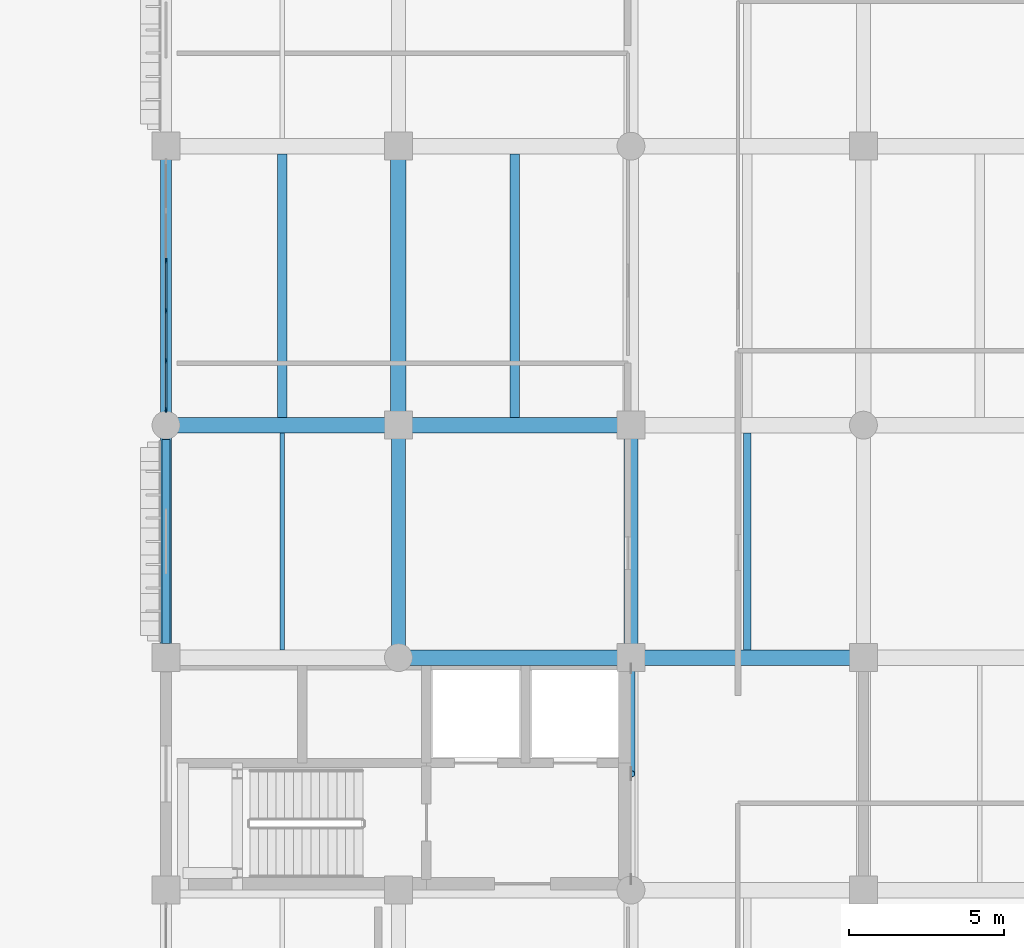
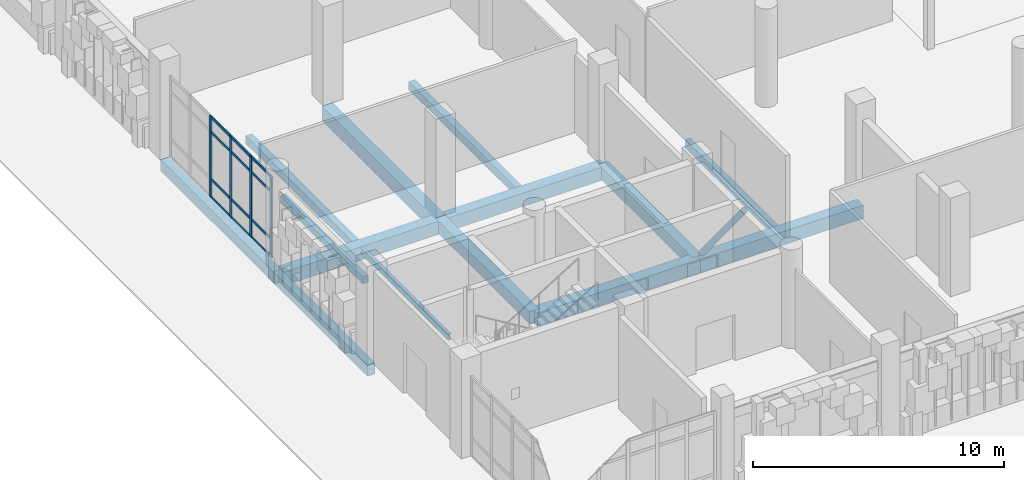
# One storey, part 16 of 125: 17 members, 14 beams, 1 element without a shape of its own.
"""IFC4 building model written with IfcOpenShell, lengths in metres."""

from ifc_helpers import new_model, si_unit, direction, frame, origin, origin_2d, place, context, subcontext, project, spatial, rectangle, hollow_circle, i_section, extrude, material, layer, layer_set, material_profile, profile_set, type_object, element, aggregate, save


model = new_model("IFC4")

# Units and contexts
model_context = context("Model", 3, precision=1e-05, world=origin(), true_north=direction((0.0, 1.0)))
body_context = subcontext(model_context, "Body", "Model", "MODEL_VIEW")
ifc_project = project(units=[si_unit("LENGTHUNIT", "METRE"), si_unit("AREAUNIT", "SQUARE_METRE"), si_unit("VOLUMEUNIT", "CUBIC_METRE"), si_unit("PLANEANGLEUNIT", "RADIAN"), si_unit("MASSUNIT", "GRAM", prefix="KILO")], contexts=[model_context])

# Site, building, storey
site_placement = place(None, origin())
site = spatial("IfcSite", under=ifc_project, at=site_placement, CompositionType="ELEMENT")
building_placement = place(site_placement, origin())
building = spatial("IfcBuilding", under=site, at=building_placement, Name="Dalvernix Boulevard General Hospital", CompositionType="ELEMENT")
storey_placement = place(building_placement, origin())
storey = spatial("IfcBuildingStorey", under=building, at=storey_placement, Name="L00", CompositionType="ELEMENT", Elevation=0.0)

# Beams
ifc_material_1 = material(Name="Concrete C35/45", Category="concrete")
ifc_material_profile_1 = material_profile(ifc_material_1, rectangle(XDim=0.5, YDim=0.699951171875, at=origin_2d()), Name="RCB 500x700")
ifc_profile_set_1 = profile_set([ifc_material_profile_1], Name="Concrete C35/45")
beam_type_1 = type_object("IfcBeamType", Name="BM-B-01-I", PredefinedType="BEAM", material=ifc_profile_set_1)
beam_1_placement = place(storey_placement, frame((7.5, 22.5, -0.7099609375), z_axis=(0.0, 1.0, 0.0), x_axis=(-1.0, 0.0, 0.0)))
element("IfcBeam", 1, at=beam_1_placement, inside=storey, type_object=beam_type_1, Name="L00 N-S girder 2:D-E", PredefinedType="BEAM", context=body_context, shape_type="SweptSolid", body=[
    extrude(rectangle(XDim=0.5, YDim=0.699951171875, at=origin_2d()), origin(), (0.0, 0.0, 1.0), 9.0),
])
ifc_material_profile_2 = material_profile(ifc_material_1, rectangle(XDim=0.5, YDim=0.64990234375, at=origin_2d()), Name="RCB 500x650")
ifc_profile_set_2 = profile_set([ifc_material_profile_2], Name="Concrete C35/45")
beam_type_2 = type_object("IfcBeamType", Name="BM-B-02-I", PredefinedType="BEAM", material=ifc_profile_set_2)
for number, where, z_axis, x_axis, name in (
    (2, (7.5, 15.0, -0.68505859375), (1.0, 0.0, 0.0), (0.0, 1.0, 0.0), "L00 E-W girder C:2-3"),
    (3, (15.0, 15.0, -0.68505859375), (1.0, 0.0, 0.0), (0.0, 1.0, 0.0), "L00 E-W girder C:3-4"),
    (4, (0.0, 22.5, -0.68505859375), (1.0, 0.0, 0.0), (0.0, 1.0, 0.0), "L00 E-W girder D:1-2"),
    (5, (7.5, 22.5, -0.68505859375), (1.0, 0.0, 0.0), (0.0, 1.0, 0.0), "L00 E-W girder D:2-3"),
):
    element("IfcBeam", number, at=place(storey_placement, frame(where, z_axis=z_axis, x_axis=x_axis)), inside=storey, type_object=beam_type_2, Name=name, PredefinedType="BEAM", context=body_context, shape_type="SweptSolid", body=[
        extrude(rectangle(XDim=0.5, YDim=0.64990234375, at=origin_2d()), origin(), (0.0, 0.0, 1.0), 7.5),
    ])
ifc_material_profile_3 = material_profile(ifc_material_1, rectangle(XDim=0.449951171875, YDim=0.60009765625, at=origin_2d()), Name="RCB 450x600")
ifc_profile_set_3 = profile_set([ifc_material_profile_3], Name="Concrete C35/45")
beam_type_3 = type_object("IfcBeamType", Name="BM-B-04-I", PredefinedType="BEAM", material=ifc_profile_set_3)
for number, where, z_axis, x_axis, name in (
    (6, (7.5, 15.0, -0.659912109375), (0.0, 1.0, 0.0), (-1.0, 0.0, 0.0), "L00 N-S girder 2:C-D"),
    (7, (15.0, 15.0, -0.659912109375), (0.0, 1.0, 0.0), (-1.0, 0.0, 0.0), "L00 N-S girder 3:C-D"),
):
    element("IfcBeam", number, at=place(storey_placement, frame(where, z_axis=z_axis, x_axis=x_axis)), inside=storey, type_object=beam_type_3, Name=name, PredefinedType="BEAM", context=body_context, shape_type="SweptSolid", body=[
        extrude(rectangle(XDim=0.449951171875, YDim=0.60009765625, at=origin_2d()), origin(), (0.0, 0.0, 1.0), 7.5),
    ])
ifc_material_profile_4 = material_profile(ifc_material_1, rectangle(XDim=0.300048828125, YDim=0.39990234375, at=origin_2d()), Name="RCB 300x400")
ifc_profile_set_4 = profile_set([ifc_material_profile_4], Name="Concrete C35/45")
beam_type_4 = type_object("IfcBeamType", Name="BM-JB-01", PredefinedType="JOIST", material=ifc_profile_set_4)
for number, where, z_axis, x_axis, name in (
    (8, (3.75, 22.75, -0.56005859375), (0.0, 1.0, 0.0), (-1.0, 0.0, 0.0), "L00 secondary floor beam 1-D"),
    (9, (11.25, 22.75, -0.56005859375), (0.0, 1.0, 0.0), (-1.0, 0.0, 0.0), "L00 secondary floor beam 2-D"),
):
    element("IfcBeam", number, at=place(storey_placement, frame(where, z_axis=z_axis, x_axis=x_axis)), inside=storey, type_object=beam_type_4, Name=name, PredefinedType="JOIST", context=body_context, shape_type="SweptSolid", body=[
        extrude(rectangle(XDim=0.300048828125, YDim=0.39990234375, at=origin_2d()), origin(), (0.0, 0.0, 1.0), 8.5),
    ])
ifc_material_profile_5 = material_profile(ifc_material_1, rectangle(XDim=0.25, YDim=0.39990234375, at=origin_2d()), Name="RCB 250x400")
ifc_profile_set_5 = profile_set([ifc_material_profile_5], Name="Concrete C35/45")
beam_type_5 = type_object("IfcBeamType", Name="BM-JB-02", PredefinedType="JOIST", material=ifc_profile_set_5)
beam_2_placement = place(storey_placement, frame((18.75, 15.25, -0.56005859375), z_axis=(0.0, 1.0, 0.0), x_axis=(-1.0, 0.0, 0.0)))
element("IfcBeam", 10, at=beam_2_placement, inside=storey, type_object=beam_type_5, Name="L00 secondary floor beam 3-C", PredefinedType="JOIST", context=body_context, shape_type="SweptSolid", body=[
    extrude(rectangle(XDim=0.25, YDim=0.39990234375, at=origin_2d()), origin(), (0.0, 0.0, 1.0), 7.0),
])
ifc_material_2 = material(Name="Steel S355", Category="steel")
ifc_material_profile_6 = material_profile(ifc_material_2, i_section(OverallWidth=0.14990234375, OverallDepth=0.300048828125, WebThickness=0.007080078125, FlangeThickness=0.0107421875, FilletRadius=0.014892578125, at=origin_2d()), Name="IPE 300")
ifc_profile_set_6 = profile_set([ifc_material_profile_6], Name="Steel S355")
beam_type_6 = type_object("IfcBeamType", Name="BM-JB-03", PredefinedType="JOIST", material=ifc_profile_set_6)
beam_3_placement = place(storey_placement, frame((3.75, 15.25, -0.510009765625), z_axis=(0.0, 1.0, 0.0), x_axis=(-1.0, 0.0, 0.0)))
element("IfcBeam", 11, at=beam_3_placement, inside=storey, type_object=beam_type_6, Name="L00 secondary floor beam 1-C", PredefinedType="JOIST", context=body_context, shape_type="SweptSolid", body=[
    extrude(i_section(OverallWidth=0.14990234375, OverallDepth=0.300048828125, WebThickness=0.007080078125, FlangeThickness=0.0107421875, FilletRadius=0.014892578125, at=origin_2d()), origin(), (0.0, 0.0, 1.0), 7.0),
])
ifc_material_3 = material(Name="Precast concrete C40/50", Category="concrete")
ifc_material_profile_7 = material_profile(ifc_material_3, rectangle(XDim=0.25, YDim=0.320068359375, at=origin_2d()), Name="RCL 250x320")
ifc_profile_set_7 = profile_set([ifc_material_profile_7], Name="Precast concrete C40/50")
beam_type_7 = type_object("IfcBeamType", Name="BM-LB-01", PredefinedType="LINTEL", material=ifc_profile_set_7)
beam_4_placement = place(storey_placement, frame((0.0, 15.4599609375, 3.4599609375), z_axis=(0.0, 1.0, 0.0), x_axis=(-1.0, 0.0, 0.0)))
element("IfcBeam", 12, at=beam_4_placement, inside=storey, type_object=beam_type_7, Name="L00 precast window lintel W 0-2", PredefinedType="LINTEL", context=body_context, shape_type="SweptSolid", body=[
    extrude(rectangle(XDim=0.25, YDim=0.320068359375, at=origin_2d()), origin(), (0.0, 0.0, 1.0), 6.580078125),
])
ifc_material_profile_8 = material_profile(ifc_material_1, rectangle(XDim=0.35009765625, YDim=0.550048828125, at=origin_2d()), Name="RCB 350x550")
ifc_profile_set_8 = profile_set([ifc_material_profile_8], Name="Concrete C35/45")
beam_type_8 = type_object("IfcBeamType", Name="BM-SB-01-E", PredefinedType="SPANDREL", material=ifc_profile_set_8)
beam_5_placement = place(storey_placement, frame((0.0, 15.0, -0.635009765625), z_axis=(0.0, 1.0, 0.0), x_axis=(-1.0, 0.0, 0.0)))
element("IfcBeam", 13, at=beam_5_placement, inside=storey, type_object=beam_type_8, Name="L00 N-S girder 1:C-D", PredefinedType="SPANDREL", context=body_context, shape_type="SweptSolid", body=[
    extrude(rectangle(XDim=0.35009765625, YDim=0.550048828125, at=origin_2d()), origin(), (0.0, 0.0, 1.0), 7.5),
])
beam_6_placement = place(storey_placement, frame((0.0, 22.5, -0.635009765625), z_axis=(0.0, 1.0, 0.0), x_axis=(-1.0, 0.0, 0.0)))
element("IfcBeam", 14, at=beam_6_placement, inside=storey, type_object=beam_type_8, Name="L00 N-S girder 1:D-E", PredefinedType="SPANDREL", context=body_context, shape_type="SweptSolid", body=[
    extrude(rectangle(XDim=0.35009765625, YDim=0.550048828125, at=origin_2d()), origin(), (0.0, 0.0, 1.0), 9.0),
])

# Member
ifc_material_profile_9 = material_profile(ifc_material_2, hollow_circle(Radius=0.136474609375, WallThickness=0.010009765625, at=origin_2d()), Name="CHS 273.0x10.0")
ifc_profile_set_9 = profile_set([ifc_material_profile_9], Name="Steel S355")
member_type_1 = type_object("IfcMemberType", Name="MEM-BR-01", PredefinedType="BRACE", material=ifc_profile_set_9)
member_1_placement = place(storey_placement, frame((15.0, 14.64990234375, 0.0), z_axis=(0.0, -0.63374319852, 0.773543507716), x_axis=(1.0, 0.0, 0.0)))
element("IfcMember", 15, at=member_1_placement, inside=storey, type_object=member_type_1, Name="L00 braced frame chevron 1B", PredefinedType="BRACE", context=body_context, shape_type="SweptSolid", body=[
    extrude(hollow_circle(Radius=0.136474609375, WallThickness=0.010009765625, at=origin_2d()), origin(), (0.0, 0.0, 1.0), 5.36474609375),
])

# Curtain wall, members
ifc_material_4 = material(Name="Thermally broken aluminium and solar-control glass curtain wall", Category="aluminium")
ifc_layer = layer(ifc_material_4, 0.159912109375)
ifc_layer_set = layer_set([ifc_layer], Name="Thermally broken aluminium and solar-control glass curtain wall (CW-CW-A-81x40)")
curtain_wall_type = type_object("IfcCurtainWallType", Name="CW-CW-A-81x40", PredefinedType="USERDEFINED", material=ifc_layer_set)
curtain_wall_placement = place(storey_placement, origin())
curtain_wall = element("IfcCurtainWall", 16, at=curtain_wall_placement, inside=storey, type_object=curtain_wall_type, Name="L00 curtain wall CW-A-81x40 0-3", ObjectType="GLAZED FACADE", PredefinedType="USERDEFINED")
ifc_material_5 = material(Name="Aluminium EN AW-6060", Category="aluminium")
ifc_material_profile_10 = material_profile(ifc_material_5, rectangle(XDim=0.06005859375, YDim=0.159912109375, at=origin_2d()), Name="ALU MULL 60x160")
ifc_profile_set_10 = profile_set([ifc_material_profile_10], Name="Aluminium EN AW-6060")
member_type_2 = type_object("IfcMemberType", Name="MEM-CW-M1", PredefinedType="MULLION", material=ifc_profile_set_10)
member_2_placement = place(storey_placement, frame((0.0, 22.989990234375, 0.0), z_axis=(0.0, 0.0, 1.0), x_axis=(-1.0, 0.0, 0.0)))
member_2 = element("IfcMember", 17, at=member_2_placement, type_object=member_type_2, Name="CW-A-81x40 mullion 1", PredefinedType="MULLION", context=body_context, shape_type="SweptSolid", body=[
    extrude(rectangle(XDim=0.06005859375, YDim=0.159912109375, at=origin_2d()), origin(), (0.0, 0.0, 1.0), 3.949951171875),
])
member_3_placement = place(storey_placement, frame((0.0, 24.575927734375, 0.0), z_axis=(0.0, 0.0, 1.0), x_axis=(-1.0, 0.0, 0.0)))
member_3 = element("IfcMember", 18, at=member_3_placement, type_object=member_type_2, Name="CW-A-81x40 mullion 2", PredefinedType="MULLION", context=body_context, shape_type="SweptSolid", body=[
    extrude(rectangle(XDim=0.06005859375, YDim=0.159912109375, at=origin_2d()), origin(), (0.0, 0.0, 1.0), 3.949951171875),
])
member_4_placement = place(storey_placement, frame((0.0, 26.19189453125, 0.0), z_axis=(0.0, 0.0, 1.0), x_axis=(-1.0, 0.0, 0.0)))
member_4 = element("IfcMember", 19, at=member_4_placement, type_object=member_type_2, Name="CW-A-81x40 mullion 3", PredefinedType="MULLION", context=body_context, shape_type="SweptSolid", body=[
    extrude(rectangle(XDim=0.06005859375, YDim=0.159912109375, at=origin_2d()), origin(), (0.0, 0.0, 1.0), 3.949951171875),
])
member_5_placement = place(storey_placement, frame((0.0, 27.80810546875, 0.0), z_axis=(0.0, 0.0, 1.0), x_axis=(-1.0, 0.0, 0.0)))
member_5 = element("IfcMember", 20, at=member_5_placement, type_object=member_type_2, Name="CW-A-81x40 mullion 4", PredefinedType="MULLION", context=body_context, shape_type="SweptSolid", body=[
    extrude(rectangle(XDim=0.06005859375, YDim=0.159912109375, at=origin_2d()), origin(), (0.0, 0.0, 1.0), 3.949951171875),
])
ifc_material_profile_11 = material_profile(ifc_material_5, rectangle(XDim=0.06005859375, YDim=0.1201171875, at=origin_2d()), Name="ALU TRAN 60x120")
ifc_profile_set_11 = profile_set([ifc_material_profile_11], Name="Aluminium EN AW-6060")
member_type_3 = type_object("IfcMemberType", Name="MEM-CW-T1", PredefinedType="USERDEFINED", material=ifc_profile_set_11)
member_6_placement = place(storey_placement, frame((0.0, 23.02001953125, 0.030029296875), z_axis=(0.0, 1.0, 0.0), x_axis=(-1.0, 0.0, 0.0)))
member_6 = element("IfcMember", 21, at=member_6_placement, type_object=member_type_3, Name="CW-A-81x40 transom 1.1", ObjectType="TRANSOM", PredefinedType="USERDEFINED", context=body_context, shape_type="SweptSolid", body=[
    extrude(rectangle(XDim=0.06005859375, YDim=0.1201171875, at=origin_2d()), origin(), (0.0, 0.0, 1.0), 1.52587890625),
])
member_7_placement = place(storey_placement, frame((0.0, 23.02001953125, 0.89990234375), z_axis=(0.0, 1.0, 0.0), x_axis=(-1.0, 0.0, 0.0)))
member_7 = element("IfcMember", 22, at=member_7_placement, type_object=member_type_3, Name="CW-A-81x40 transom 1.2", ObjectType="TRANSOM", PredefinedType="USERDEFINED", context=body_context, shape_type="SweptSolid", body=[
    extrude(rectangle(XDim=0.06005859375, YDim=0.1201171875, at=origin_2d()), origin(), (0.0, 0.0, 1.0), 1.52587890625),
])
member_8_placement = place(storey_placement, frame((0.0, 23.02001953125, 3.199951171875), z_axis=(0.0, 1.0, 0.0), x_axis=(-1.0, 0.0, 0.0)))
member_8 = element("IfcMember", 23, at=member_8_placement, type_object=member_type_3, Name="CW-A-81x40 transom 1.3", ObjectType="TRANSOM", PredefinedType="USERDEFINED", context=body_context, shape_type="SweptSolid", body=[
    extrude(rectangle(XDim=0.06005859375, YDim=0.1201171875, at=origin_2d()), origin(), (0.0, 0.0, 1.0), 1.52587890625),
])
member_9_placement = place(storey_placement, frame((0.0, 23.02001953125, 3.919921875), z_axis=(0.0, 1.0, 0.0), x_axis=(-1.0, 0.0, 0.0)))
member_9 = element("IfcMember", 24, at=member_9_placement, type_object=member_type_3, Name="CW-A-81x40 transom 1.4", ObjectType="TRANSOM", PredefinedType="USERDEFINED", context=body_context, shape_type="SweptSolid", body=[
    extrude(rectangle(XDim=0.06005859375, YDim=0.1201171875, at=origin_2d()), origin(), (0.0, 0.0, 1.0), 1.52587890625),
])
member_10_placement = place(storey_placement, frame((0.0, 24.60595703125, 0.030029296875), z_axis=(0.0, 1.0, 0.0), x_axis=(-1.0, 0.0, 0.0)))
member_10 = element("IfcMember", 25, at=member_10_placement, type_object=member_type_3, Name="CW-A-81x40 transom 2.1", ObjectType="TRANSOM", PredefinedType="USERDEFINED", context=body_context, shape_type="SweptSolid", body=[
    extrude(rectangle(XDim=0.06005859375, YDim=0.1201171875, at=origin_2d()), origin(), (0.0, 0.0, 1.0), 1.55615234375),
])
member_11_placement = place(storey_placement, frame((0.0, 24.60595703125, 0.89990234375), z_axis=(0.0, 1.0, 0.0), x_axis=(-1.0, 0.0, 0.0)))
member_11 = element("IfcMember", 26, at=member_11_placement, type_object=member_type_3, Name="CW-A-81x40 transom 2.2", ObjectType="TRANSOM", PredefinedType="USERDEFINED", context=body_context, shape_type="SweptSolid", body=[
    extrude(rectangle(XDim=0.06005859375, YDim=0.1201171875, at=origin_2d()), origin(), (0.0, 0.0, 1.0), 1.55615234375),
])
member_12_placement = place(storey_placement, frame((0.0, 24.60595703125, 3.199951171875), z_axis=(0.0, 1.0, 0.0), x_axis=(-1.0, 0.0, 0.0)))
member_12 = element("IfcMember", 27, at=member_12_placement, type_object=member_type_3, Name="CW-A-81x40 transom 2.3", ObjectType="TRANSOM", PredefinedType="USERDEFINED", context=body_context, shape_type="SweptSolid", body=[
    extrude(rectangle(XDim=0.06005859375, YDim=0.1201171875, at=origin_2d()), origin(), (0.0, 0.0, 1.0), 1.55615234375),
])
member_13_placement = place(storey_placement, frame((0.0, 24.60595703125, 3.919921875), z_axis=(0.0, 1.0, 0.0), x_axis=(-1.0, 0.0, 0.0)))
member_13 = element("IfcMember", 28, at=member_13_placement, type_object=member_type_3, Name="CW-A-81x40 transom 2.4", ObjectType="TRANSOM", PredefinedType="USERDEFINED", context=body_context, shape_type="SweptSolid", body=[
    extrude(rectangle(XDim=0.06005859375, YDim=0.1201171875, at=origin_2d()), origin(), (0.0, 0.0, 1.0), 1.55615234375),
])
member_14_placement = place(storey_placement, frame((0.0, 26.221923828125, 0.030029296875), z_axis=(0.0, 1.0, 0.0), x_axis=(-1.0, 0.0, 0.0)))
member_14 = element("IfcMember", 29, at=member_14_placement, type_object=member_type_3, Name="CW-A-81x40 transom 3.1", ObjectType="TRANSOM", PredefinedType="USERDEFINED", context=body_context, shape_type="SweptSolid", body=[
    extrude(rectangle(XDim=0.06005859375, YDim=0.1201171875, at=origin_2d()), origin(), (0.0, 0.0, 1.0), 1.55615234375),
])
member_15_placement = place(storey_placement, frame((0.0, 26.221923828125, 0.89990234375), z_axis=(0.0, 1.0, 0.0), x_axis=(-1.0, 0.0, 0.0)))
member_15 = element("IfcMember", 30, at=member_15_placement, type_object=member_type_3, Name="CW-A-81x40 transom 3.2", ObjectType="TRANSOM", PredefinedType="USERDEFINED", context=body_context, shape_type="SweptSolid", body=[
    extrude(rectangle(XDim=0.06005859375, YDim=0.1201171875, at=origin_2d()), origin(), (0.0, 0.0, 1.0), 1.55615234375),
])
member_16_placement = place(storey_placement, frame((0.0, 26.221923828125, 3.199951171875), z_axis=(0.0, 1.0, 0.0), x_axis=(-1.0, 0.0, 0.0)))
member_16 = element("IfcMember", 31, at=member_16_placement, type_object=member_type_3, Name="CW-A-81x40 transom 3.3", ObjectType="TRANSOM", PredefinedType="USERDEFINED", context=body_context, shape_type="SweptSolid", body=[
    extrude(rectangle(XDim=0.06005859375, YDim=0.1201171875, at=origin_2d()), origin(), (0.0, 0.0, 1.0), 1.55615234375),
])
member_17_placement = place(storey_placement, frame((0.0, 26.221923828125, 3.919921875), z_axis=(0.0, 1.0, 0.0), x_axis=(-1.0, 0.0, 0.0)))
member_17 = element("IfcMember", 32, at=member_17_placement, type_object=member_type_3, Name="CW-A-81x40 transom 3.4", ObjectType="TRANSOM", PredefinedType="USERDEFINED", context=body_context, shape_type="SweptSolid", body=[
    extrude(rectangle(XDim=0.06005859375, YDim=0.1201171875, at=origin_2d()), origin(), (0.0, 0.0, 1.0), 1.55615234375),
])
aggregate(curtain_wall, [member_2, member_3, member_4, member_5, member_6, member_7, member_8, member_9, member_10, member_11, member_12, member_13, member_14, member_15, member_16, member_17])

save(model, "model.ifc")
